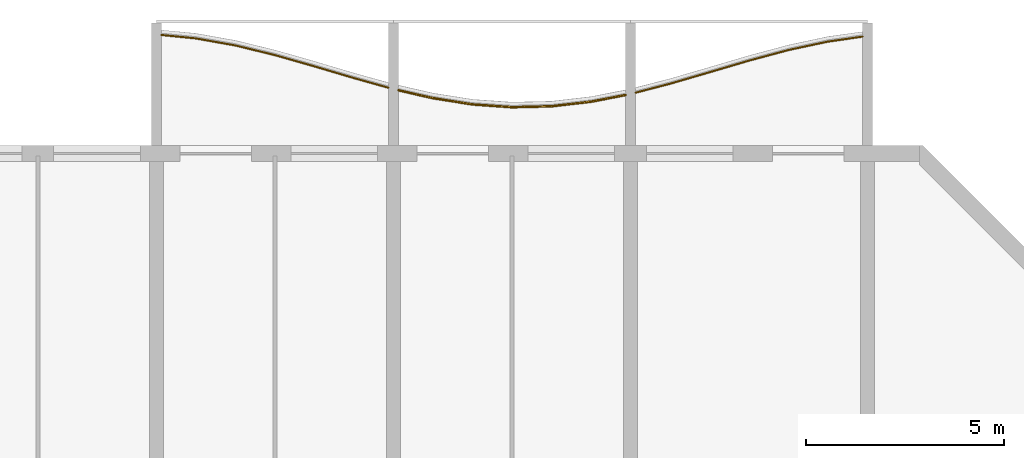
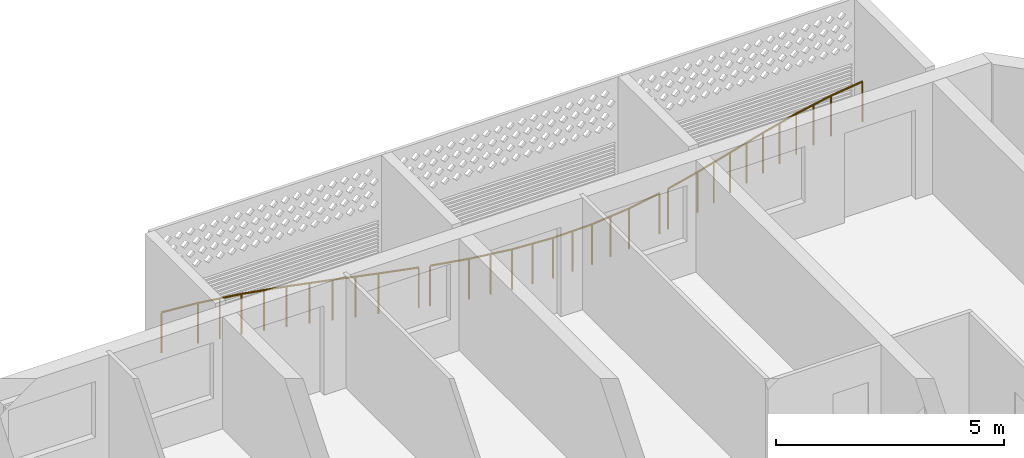
# One storey, part 23 of 24: 3 railings.
"""IFC4 building model written with IfcOpenShell, lengths in metres."""

import ifcopenshell
import ifcopenshell.guid

model = None  # the IFC model being written
_history = None  # IfcOwnerHistory: only IFC2X3 demands one
_inside = {}  # id of a spatial element -> (the spatial element, [elements in it])
_under = {}  # id of a project, library or spatial element -> (it, [spatial elements below it])
_declared = {}  # id of a project -> (the project, [libraries it declares])
_typed = {}  # id of a type object -> (the type object, [elements of that type])
_made_of = {}  # id of a material, layer set ... -> (it, [elements and type objects made of it])


def new_model(schema):
    """Start an empty IFC model of exactly this schema.

    Asked for "IFC4X3", IfcOpenShell would pick the latest addendum, in which some entities
    have other attributes; the version numbers below select the first issue.
    IFC2X3 requires an IfcOwnerHistory on every rooted entity: one is made here for all.
    """
    global model, _history
    if schema == "IFC4X3":
        model = ifcopenshell.file(schema_version=(4, 3, 0, 0))
    else:
        model = ifcopenshell.file(schema=schema)
    _inside.clear()
    _under.clear()
    _declared.clear()
    _typed.clear()
    _made_of.clear()
    _history = None
    if model.schema == "IFC2X3":
        org = make("IfcOrganization", Name="unknown")
        user = make(
            "IfcPersonAndOrganization",
            ThePerson=make("IfcPerson", FamilyName="unknown"),
            TheOrganization=org,
        )
        app = make(
            "IfcApplication",
            ApplicationDeveloper=org,
            Version="unknown",
            ApplicationFullName="unknown",
            ApplicationIdentifier="unknown",
        )
        _history = make(
            "IfcOwnerHistory",
            OwningUser=user,
            OwningApplication=app,
            ChangeAction="ADDED",
            CreationDate=0,
        )
    return model


def make(cls, **values):
    """One entity of the class cls with the attributes given. An attribute that is None is left unset."""
    return model.create_entity(
        cls, **{name: value for name, value in values.items() if value is not None}
    )


def rooted(cls, **values):
    """An entity with a GlobalId (a new one), such as an element, a storey or a relation."""
    return make(cls, GlobalId=ifcopenshell.guid.new(), OwnerHistory=_history, **values)


def si_unit(unit_type, name, prefix=None):
    """IfcSIUnit, for example si_unit("LENGTHUNIT", "METRE", prefix="MILLI")."""
    return make("IfcSIUnit", UnitType=unit_type, Prefix=prefix, Name=name)


def assignment(units):
    """IfcUnitAssignment: the units of a project."""
    return None if units is None else make("IfcUnitAssignment", Units=units)


def point(xyz):
    """IfcCartesianPoint."""
    return None if xyz is None else make("IfcCartesianPoint", Coordinates=xyz)


def direction(xyz):
    """IfcDirection."""
    return None if xyz is None else make("IfcDirection", DirectionRatios=xyz)


def frame(location, z_axis=None, x_axis=None):
    """IfcAxis2Placement3D, a coordinate frame: its origin and axes. An axis left out is left unset."""
    return make(
        "IfcAxis2Placement3D",
        Location=point(location),
        Axis=direction(z_axis),
        RefDirection=direction(x_axis),
    )


def frame_2d(location, x_axis=None):
    """IfcAxis2Placement2D, a coordinate frame in the plane: its origin and x axis."""
    return make(
        "IfcAxis2Placement2D", Location=point(location), RefDirection=direction(x_axis)
    )


def origin():
    """The frame at (0, 0, 0) with its axes left unset."""
    return frame((0.0, 0.0, 0.0))


def origin_2d():
    """The frame at (0, 0) in the plane with its x axis left unset."""
    return frame_2d((0.0, 0.0))


def place(relative_to, where):
    """IfcLocalPlacement: puts the frame where relative to a parent placement (None: the world)."""
    return make(
        "IfcLocalPlacement", PlacementRelTo=relative_to, RelativePlacement=where
    )


def context(
    kind, dimensions, precision=None, world=None, true_north=None, identifier=None
):
    """IfcGeometricRepresentationContext, for example the 3D "Model" context."""
    return make(
        "IfcGeometricRepresentationContext",
        ContextIdentifier=identifier,
        ContextType=kind,
        CoordinateSpaceDimension=dimensions,
        Precision=precision,
        WorldCoordinateSystem=world,
        TrueNorth=true_north,
    )


def subcontext(parent, identifier, kind, view, scale=None):
    """IfcGeometricRepresentationSubContext, for example "Body" below "Model"."""
    return make(
        "IfcGeometricRepresentationSubContext",
        ContextIdentifier=identifier,
        ContextType=kind,
        ParentContext=parent,
        TargetScale=scale,
        TargetView=view,
    )


def project(units=None, contexts=None):
    """IfcProject with its units and contexts."""
    return rooted(
        "IfcProject",
        Name="project",
        RepresentationContexts=contexts,
        UnitsInContext=assignment(units),
    )


def spatial(cls, under=None, at=None, **own):
    """A site, building, storey or space (cls), placed at a placement, below another one or the project."""
    s = rooted(cls, ObjectPlacement=at, **own)
    if under is not None:
        _under.setdefault(under.id(), (under, []))[1].append(s)
    return s


def profile(cls, at=None, kind="AREA", **sizes):
    """A parametric profile (cls). Its sizes go by their IFC names, for example OverallWidth=200.0."""
    return make(cls, ProfileType=kind, Position=at, **sizes)


def circle(**sizes):
    """IfcCircleProfileDef."""
    return profile("IfcCircleProfileDef", **sizes)


def extrude(swept, where, along, depth):
    """IfcExtrudedAreaSolid: the profile swept, set in the frame where, extruded along a direction by depth."""
    return make(
        "IfcExtrudedAreaSolid",
        SweptArea=swept,
        Position=where,
        ExtrudedDirection=direction(along),
        Depth=depth,
    )


def shape(context_of_items, identifier, shape_type, items):
    """IfcShapeRepresentation: the items that make up one representation, for example the "Body"."""
    return make(
        "IfcShapeRepresentation",
        ContextOfItems=context_of_items,
        RepresentationIdentifier=identifier,
        RepresentationType=shape_type,
        Items=items,
    )


def material(Name=None, Category=None):
    """IfcMaterial."""
    return make("IfcMaterial", Name=Name, Category=Category)


def made_of(thing, what):
    """Note that an element or type object is made of a material, layer set ...; save() writes the relation."""
    if what is not None:
        _made_of.setdefault(what.id(), (what, []))[1].append(thing)
    return thing


def type_object(cls, material=None, **own):
    """A type object (cls), such as IfcWallType, which elements share."""
    return made_of(rooted(cls, **own), material)


def element(
    cls,
    number,
    at=None,
    inside=None,
    cuts=None,
    type_object=None,
    material=None,
    context=None,
    identifier="Body",
    shape_type=None,
    held_by="IfcProductDefinitionShape",
    body=None,
    shapes=None,
    **own,
):
    """One element of the class cls, such as IfcWall. Its Tag is "e" and its number.

    at: its placement. inside: the storey or other place that contains it. cuts: it is an
    opening in that element (IfcRelVoidsElement). A single representation is given by context,
    identifier, shape_type and body (its items); several are given by shapes. held_by: the class
    of the entity that holds the representations. save() writes the other relations.
    """
    e = rooted(cls, Tag="e%d" % number, ObjectPlacement=at, **own)
    if body is not None:
        shapes = [shape(context, identifier, shape_type, body)]
    if shapes is not None:
        e.Representation = make(held_by, Representations=shapes)
    if inside is not None:
        _inside.setdefault(inside.id(), (inside, []))[1].append(e)
    if cuts is not None:
        rooted(
            "IfcRelVoidsElement", RelatingBuildingElement=cuts, RelatedOpeningElement=e
        )
    if type_object is not None:
        _typed.setdefault(type_object.id(), (type_object, []))[1].append(e)
    return made_of(e, material)


def aggregate(whole, parts):
    """IfcRelAggregates: a whole, such as a stair, and the parts it consists of."""
    return rooted("IfcRelAggregates", RelatingObject=whole, RelatedObjects=parts)


def save(model, path):
    """Write the relations noted so far, then the file.

    IfcRelAggregates (storeys below a building ...), IfcRelContainedInSpatialStructure (elements
    in a storey), IfcRelDefinesByType, IfcRelAssociatesMaterial and IfcRelDeclares: one each for
    every whole, place, type object, material and project.
    """
    for whole, parts in _under.values():
        aggregate(whole, parts)
    for where, things in _inside.values():
        rooted(
            "IfcRelContainedInSpatialStructure",
            RelatedElements=things,
            RelatingStructure=where,
        )
    for kind, things in _typed.values():
        rooted("IfcRelDefinesByType", RelatedObjects=things, RelatingType=kind)
    for what, things in _made_of.values():
        rooted("IfcRelAssociatesMaterial", RelatedObjects=things, RelatingMaterial=what)
    for by, libraries in _declared.values():
        rooted("IfcRelDeclares", RelatingContext=by, RelatedDefinitions=libraries)
    model.write(path)


model = new_model("IFC4")

# Units and contexts
model_context = context("Model", 3, precision=1e-05, world=origin(), true_north=direction((0.0, 1.0)))
body_context = subcontext(model_context, "Body", "Model", "MODEL_VIEW")
ifc_project = project(units=[si_unit("LENGTHUNIT", "METRE"), si_unit("AREAUNIT", "SQUARE_METRE"), si_unit("VOLUMEUNIT", "CUBIC_METRE"), si_unit("PLANEANGLEUNIT", "RADIAN"), si_unit("MASSUNIT", "GRAM", prefix="KILO")], contexts=[model_context])

# Site, building, storey
site_placement = place(None, origin())
site = spatial("IfcSite", under=ifc_project, at=site_placement, CompositionType="ELEMENT")
building_placement = place(site_placement, origin())
building = spatial("IfcBuilding", under=site, at=building_placement, Name="Poui Terraces", CompositionType="ELEMENT")
storey_placement = place(building_placement, frame((0.0, 0.0, 102.60009765625)))
storey = spatial("IfcBuildingStorey", under=building, at=storey_placement, Name="L28", CompositionType="ELEMENT", Elevation=102.60009765625)

# Railings
ifc_material = material(Name="Painted steel fretwork", Category="steel")
railing_type = type_object("IfcRailingType", Name="BALCONY GUARD 1100", PredefinedType="GUARDRAIL", material=ifc_material)
railing_1_placement = place(storey_placement, frame((72.125, 46.601318359375, 0.0)))
element("IfcRailing", 1, at=railing_1_placement, inside=storey, type_object=railing_type, Name="BALCONY GUARD", PredefinedType="GUARDRAIL", context=body_context, shape_type="SweptSolid", body=[
    extrude(circle(Radius=0.02392578125, at=origin_2d()), frame((0.0, 0.0, 1.076171875), z_axis=(0.995048179628, -0.099393763478, 0.0), x_axis=(0.099393763478, 0.995048179628, 0.0)), (0.0, 0.0, 1.0), 0.87939453125),
    extrude(circle(Radius=0.02392578125, at=origin_2d()), frame((0.875, -0.08740234375, 1.076171875), z_axis=(0.984486939112, -0.175457877332, 0.0), x_axis=(0.175457877332, 0.984486939112, 0.0)), (0.0, 0.0, 1.0), 1.015869140625),
    extrude(circle(Radius=0.02392578125, at=origin_2d()), frame((1.875, -0.265625, 1.076171875), z_axis=(0.971467046504, -0.2371745719, 0.0), x_axis=(0.2371745719, 0.971467046504, 0.0)), (0.0, 0.0, 1.0), 1.029296875),
    extrude(circle(Radius=0.02392578125, at=origin_2d()), frame((2.875, -0.509765625, 1.076171875), z_axis=(0.961665574586, -0.274224949003, 0.0), x_axis=(0.274224949003, 0.961665574586, 0.0)), (0.0, 0.0, 1.0), 1.039794921875),
    extrude(circle(Radius=0.02392578125, at=origin_2d()), frame((3.875, -0.794921875, 1.076171875), z_axis=(0.958774495191, -0.284168026651, 0.0), x_axis=(0.284168026651, 0.958774495191, 0.0)), (0.0, 0.0, 1.0), 1.04296875),
    extrude(circle(Radius=0.02392578125, at=origin_2d()), frame((4.875, -1.09130859375, 1.076171875), z_axis=(0.963000288712, -0.269500359815, 0.0), x_axis=(0.269500359815, 0.963000288712, 0.0)), (0.0, 0.0, 1.0), 0.90869140625),
    extrude(circle(Radius=0.02099609375, at=origin_2d()), origin(), (0.0, 0.0, 1.0), 1.052001953125),
    extrude(circle(Radius=0.02099609375, at=origin_2d()), frame((0.875, -0.08740234375, 0.0)), (0.0, 0.0, 1.0), 1.052001953125),
    extrude(circle(Radius=0.02099609375, at=origin_2d()), frame((1.375, -0.176513671875, 0.0)), (0.0, 0.0, 1.0), 1.052001953125),
    extrude(circle(Radius=0.02099609375, at=origin_2d()), frame((1.875, -0.265625, 0.0)), (0.0, 0.0, 1.0), 1.052001953125),
    extrude(circle(Radius=0.02099609375, at=origin_2d()), frame((2.375, -0.3876953125, 0.0)), (0.0, 0.0, 1.0), 1.052001953125),
    extrude(circle(Radius=0.02099609375, at=origin_2d()), frame((2.875, -0.509765625, 0.0)), (0.0, 0.0, 1.0), 1.052001953125),
    extrude(circle(Radius=0.02099609375, at=origin_2d()), frame((3.375, -0.65234375, 0.0)), (0.0, 0.0, 1.0), 1.052001953125),
    extrude(circle(Radius=0.02099609375, at=origin_2d()), frame((3.875, -0.794921875, 0.0)), (0.0, 0.0, 1.0), 1.052001953125),
    extrude(circle(Radius=0.02099609375, at=origin_2d()), frame((4.375, -0.943115234375, 0.0)), (0.0, 0.0, 1.0), 1.052001953125),
    extrude(circle(Radius=0.02099609375, at=origin_2d()), frame((4.875, -1.09130859375, 0.0)), (0.0, 0.0, 1.0), 1.052001953125),
    extrude(circle(Radius=0.02099609375, at=origin_2d()), frame((5.75, -1.336181640625, 0.0)), (0.0, 0.0, 1.0), 1.052001953125),
])
railing_2_placement = place(storey_placement, frame((78.125, 45.20068359375, 0.0)))
element("IfcRailing", 2, at=railing_2_placement, inside=storey, type_object=railing_type, Name="BALCONY GUARD", PredefinedType="GUARDRAIL", context=body_context, shape_type="SweptSolid", body=[
    extrude(circle(Radius=0.02392578125, at=origin_2d()), frame((0.0, 0.0, 1.076171875), z_axis=(0.975340938218, -0.220703543777, 0.0), x_axis=(0.220703543777, 0.975340938218, 0.0)), (0.0, 0.0, 1.0), 0.897216796875),
    extrude(circle(Radius=0.02392578125, at=origin_2d()), frame((0.875, -0.197998046875, 1.076171875), z_axis=(0.987641453623, -0.156730211146, 0.0), x_axis=(0.156730211146, 0.987641453623, 0.0)), (0.0, 0.0, 1.0), 1.012451171875),
    extrude(circle(Radius=0.02392578125, at=origin_2d()), frame((1.875, -0.356689453125, 1.076171875), z_axis=(0.997485823051, -0.07086630237, 0.0), x_axis=(0.07086630237, 0.997485823051, 0.0)), (0.0, 0.0, 1.0), 1.00244140625),
    extrude(circle(Radius=0.02392578125, at=origin_2d()), frame((2.875, -0.427734375, 1.076171875), z_axis=(0.999713901321, 0.023918936116, 0.0), x_axis=(-0.023918936116, 0.999713901321, 0.0)), (0.0, 0.0, 1.0), 1.000244140625),
    extrude(circle(Radius=0.02392578125, at=origin_2d()), frame((3.875, -0.40380859375, 1.076171875), z_axis=(0.993315142472, 0.11543408394, 0.0), x_axis=(-0.11543408394, 0.993315142472, 0.0)), (0.0, 0.0, 1.0), 1.0068359375),
    extrude(circle(Radius=0.02392578125, at=origin_2d()), frame((4.875, -0.28759765625, 1.076171875), z_axis=(0.981967340867, 0.189050632031, 0.0), x_axis=(-0.189050632031, 0.981967340867, 0.0)), (0.0, 0.0, 1.0), 0.89111328125),
    extrude(circle(Radius=0.02099609375, at=origin_2d()), origin(), (0.0, 0.0, 1.0), 1.052001953125),
    extrude(circle(Radius=0.02099609375, at=origin_2d()), frame((0.875, -0.197998046875, 0.0)), (0.0, 0.0, 1.0), 1.052001953125),
    extrude(circle(Radius=0.02099609375, at=origin_2d()), frame((1.375, -0.27734375, 0.0)), (0.0, 0.0, 1.0), 1.052001953125),
    extrude(circle(Radius=0.02099609375, at=origin_2d()), frame((1.875, -0.356689453125, 0.0)), (0.0, 0.0, 1.0), 1.052001953125),
    extrude(circle(Radius=0.02099609375, at=origin_2d()), frame((2.375, -0.39208984375, 0.0)), (0.0, 0.0, 1.0), 1.052001953125),
    extrude(circle(Radius=0.02099609375, at=origin_2d()), frame((2.875, -0.427734375, 0.0)), (0.0, 0.0, 1.0), 1.052001953125),
    extrude(circle(Radius=0.02099609375, at=origin_2d()), frame((3.375, -0.415771484375, 0.0)), (0.0, 0.0, 1.0), 1.052001953125),
    extrude(circle(Radius=0.02099609375, at=origin_2d()), frame((3.875, -0.40380859375, 0.0)), (0.0, 0.0, 1.0), 1.052001953125),
    extrude(circle(Radius=0.02099609375, at=origin_2d()), frame((4.375, -0.345703125, 0.0)), (0.0, 0.0, 1.0), 1.052001953125),
    extrude(circle(Radius=0.02099609375, at=origin_2d()), frame((4.875, -0.28759765625, 0.0)), (0.0, 0.0, 1.0), 1.052001953125),
    extrude(circle(Radius=0.02099609375, at=origin_2d()), frame((5.75, -0.119140625, 0.0)), (0.0, 0.0, 1.0), 1.052001953125),
])
railing_3_placement = place(storey_placement, frame((84.125, 45.139404296875, 0.0)))
element("IfcRailing", 3, at=railing_3_placement, inside=storey, type_object=railing_type, Name="BALCONY GUARD", PredefinedType="GUARDRAIL", context=body_context, shape_type="SweptSolid", body=[
    extrude(circle(Radius=0.02392578125, at=origin_2d()), frame((0.0, 0.0, 1.076171875), z_axis=(0.967811983713, 0.251674321657, 0.0), x_axis=(-0.251674321657, 0.967811983713, 0.0)), (0.0, 0.0, 1.0), 0.904052734375),
    extrude(circle(Radius=0.02392578125, at=origin_2d()), frame((0.875, 0.2275390625, 1.076171875), z_axis=(0.960230728662, 0.279207714316, 0.0), x_axis=(-0.279207714316, 0.960230728662, 0.0)), (0.0, 0.0, 1.0), 1.04150390625),
    extrude(circle(Radius=0.02392578125, at=origin_2d()), frame((1.875, 0.518310546875, 1.076171875), z_axis=(0.959219941058, 0.282660758998, 0.0), x_axis=(-0.282660758998, 0.959219941058, 0.0)), (0.0, 0.0, 1.0), 1.04248046875),
    extrude(circle(Radius=0.02392578125, at=origin_2d()), frame((2.875, 0.81298828125, 1.076171875), z_axis=(0.965897516379, 0.258924676022, 0.0), x_axis=(-0.258924676022, 0.965897516379, 0.0)), (0.0, 0.0, 1.0), 1.035400390625),
    extrude(circle(Radius=0.02392578125, at=origin_2d()), frame((3.875, 1.0810546875, 1.076171875), z_axis=(0.977837336556, 0.20936605082, 0.0), x_axis=(-0.20936605082, 0.977837336556, 0.0)), (0.0, 0.0, 1.0), 1.022705078125),
    extrude(circle(Radius=0.02392578125, at=origin_2d()), frame((4.875, 1.295166015625, 1.076171875), z_axis=(0.989910788266, 0.141692029682, 0.0), x_axis=(-0.141692029682, 0.989910788266, 0.0)), (0.0, 0.0, 1.0), 0.884033203125),
    extrude(circle(Radius=0.02099609375, at=origin_2d()), origin(), (0.0, 0.0, 1.0), 1.052001953125),
    extrude(circle(Radius=0.02099609375, at=origin_2d()), frame((0.875, 0.2275390625, 0.0)), (0.0, 0.0, 1.0), 1.052001953125),
    extrude(circle(Radius=0.02099609375, at=origin_2d()), frame((1.375, 0.373046875, 0.0)), (0.0, 0.0, 1.0), 1.052001953125),
    extrude(circle(Radius=0.02099609375, at=origin_2d()), frame((1.875, 0.518310546875, 0.0)), (0.0, 0.0, 1.0), 1.052001953125),
    extrude(circle(Radius=0.02099609375, at=origin_2d()), frame((2.375, 0.66552734375, 0.0)), (0.0, 0.0, 1.0), 1.052001953125),
    extrude(circle(Radius=0.02099609375, at=origin_2d()), frame((2.875, 0.81298828125, 0.0)), (0.0, 0.0, 1.0), 1.052001953125),
    extrude(circle(Radius=0.02099609375, at=origin_2d()), frame((3.375, 0.947021484375, 0.0)), (0.0, 0.0, 1.0), 1.052001953125),
    extrude(circle(Radius=0.02099609375, at=origin_2d()), frame((3.875, 1.0810546875, 0.0)), (0.0, 0.0, 1.0), 1.052001953125),
    extrude(circle(Radius=0.02099609375, at=origin_2d()), frame((4.375, 1.18798828125, 0.0)), (0.0, 0.0, 1.0), 1.052001953125),
    extrude(circle(Radius=0.02099609375, at=origin_2d()), frame((4.875, 1.295166015625, 0.0)), (0.0, 0.0, 1.0), 1.052001953125),
    extrude(circle(Radius=0.02099609375, at=origin_2d()), frame((5.75, 1.42041015625, 0.0)), (0.0, 0.0, 1.0), 1.052001953125),
])

save(model, "model.ifc")
